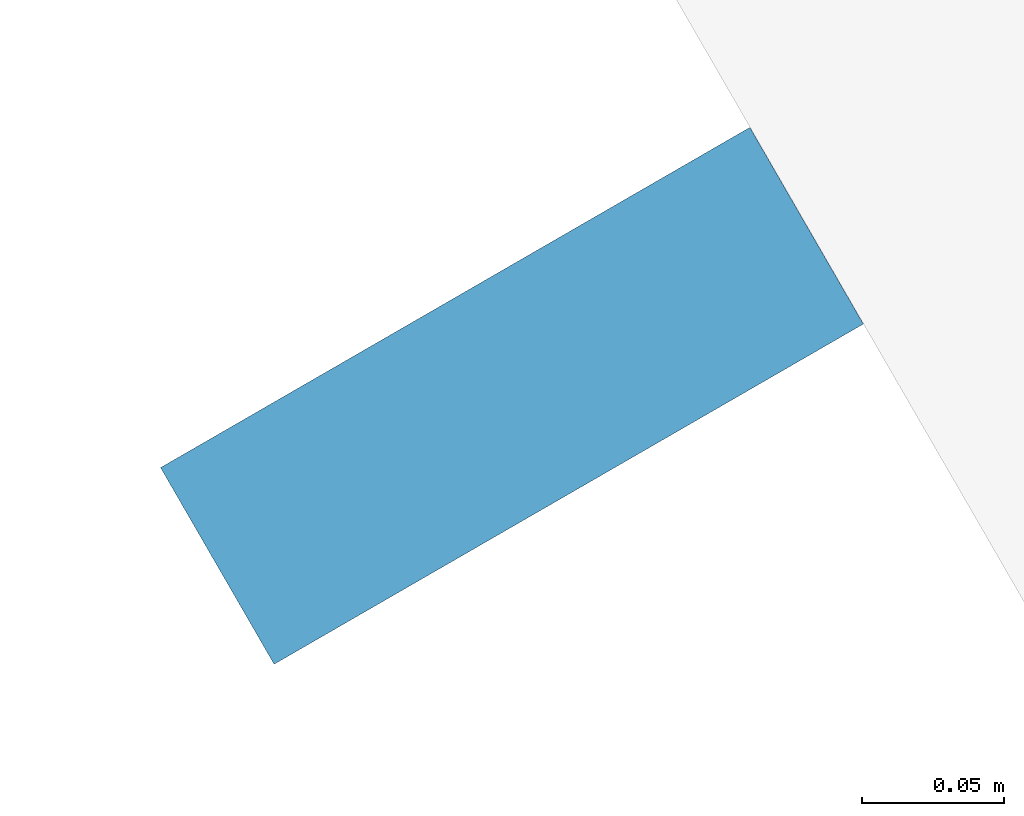
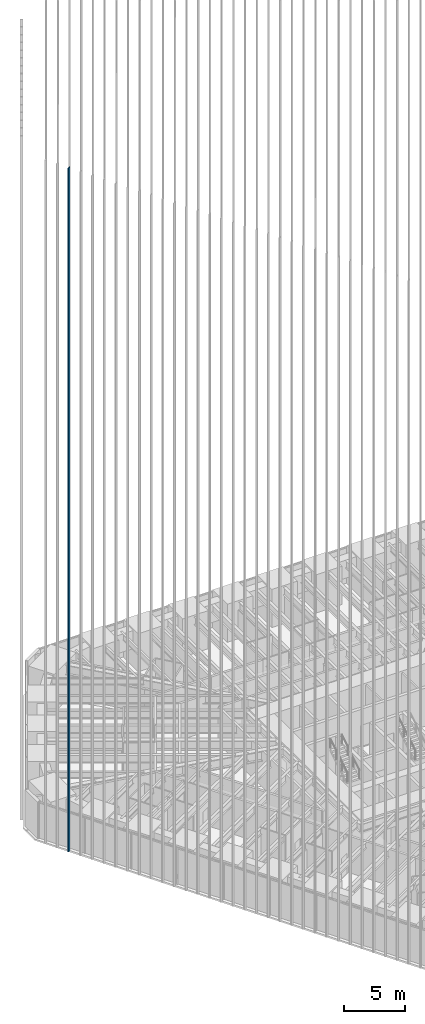
# One storey, part 131 of 256: 1 member, 1 element without a shape of its own.
"""IFC4 building model written with IfcOpenShell, lengths in metres."""

from ifc_helpers import new_model, si_unit, direction, frame, origin, origin_2d, place, context, subcontext, project, spatial, rectangle, extrude, material, material_profile, profile_set, type_object, element, aggregate, save


model = new_model("IFC4")

# Units and contexts
model_context = context("Model", 3, precision=1e-05, world=origin(), true_north=direction((0.0, 1.0)))
body_context = subcontext(model_context, "Body", "Model", "MODEL_VIEW")
ifc_project = project(units=[si_unit("LENGTHUNIT", "METRE"), si_unit("AREAUNIT", "SQUARE_METRE"), si_unit("VOLUMEUNIT", "CUBIC_METRE"), si_unit("PLANEANGLEUNIT", "RADIAN"), si_unit("MASSUNIT", "GRAM", prefix="KILO")], contexts=[model_context])

# Site, building, storey
site_placement = place(None, origin())
site = spatial("IfcSite", under=ifc_project, at=site_placement, CompositionType="ELEMENT")
building_placement = place(site_placement, origin())
building = spatial("IfcBuilding", under=site, at=building_placement, Name="Sandreach Pilgrim Tower", CompositionType="ELEMENT")
storey_placement = place(building_placement, frame((0.0, 0.0, 23.0)))
storey = spatial("IfcBuildingStorey", under=building, at=storey_placement, Name="L04", CompositionType="ELEMENT", Elevation=23.0)

# Curtain wall, member
ifc_material_1 = material(Name="Aluminium framed curtain wall", Category="aluminium")
curtain_wall_type = type_object("IfcCurtainWallType", Name="Hostel tower curtain wall", PredefinedType="NOTDEFINED", material=ifc_material_1)
curtain_wall_placement = place(storey_placement, origin())
curtain_wall = element("IfcCurtainWall", 1, at=curtain_wall_placement, inside=storey, type_object=curtain_wall_type, Name="CW-1 L04 SW", PredefinedType="NOTDEFINED")
ifc_material_2 = material(Name="Extruded terracotta on aluminium core", Category="masonry")
ifc_material_profile = material_profile(ifc_material_2, rectangle(XDim=0.080078125, YDim=0.239990234375, at=origin_2d()), Name="TBW 80X240")
ifc_profile_set = profile_set([ifc_material_profile], Name="Extruded terracotta on aluminium core")
member_type = type_object("IfcMemberType", Name="Terracotta baguette west", PredefinedType="USERDEFINED", material=ifc_profile_set)
member_placement = place(storey_placement, frame((-29.401611328125, 2.187744140625, 0.0), z_axis=(0.0, 0.0, 1.0), x_axis=(-0.5, 0.866025403784, 0.0)))
member = element("IfcMember", 2, at=member_placement, type_object=member_type, Name="Baguette Z1 SW33", ObjectType="BAGUETTE", PredefinedType="USERDEFINED", context=body_context, shape_type="SweptSolid", body=[
    extrude(rectangle(XDim=0.080078125, YDim=0.239990234375, at=origin_2d()), origin(), (0.0, 0.0, 1.0), 68.239990234375),
])
aggregate(curtain_wall, [member])

save(model, "model.ifc")
